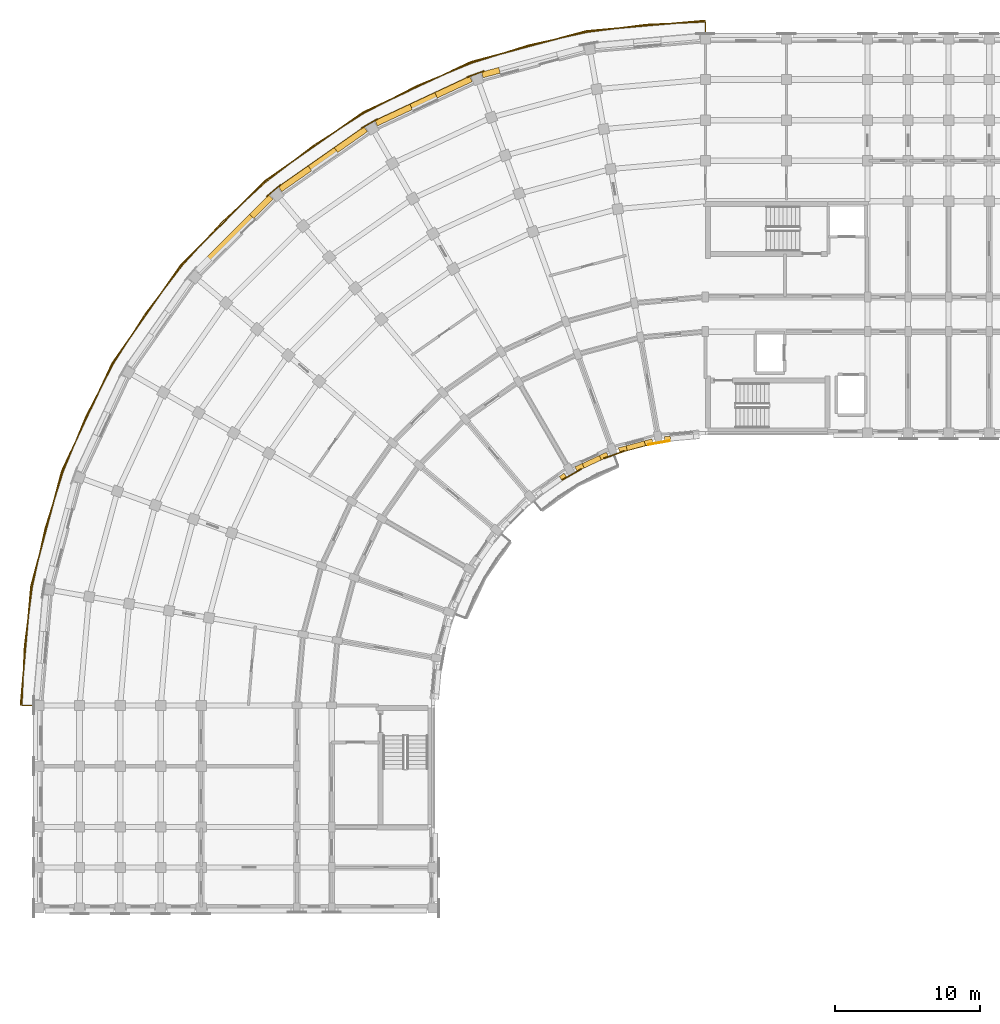
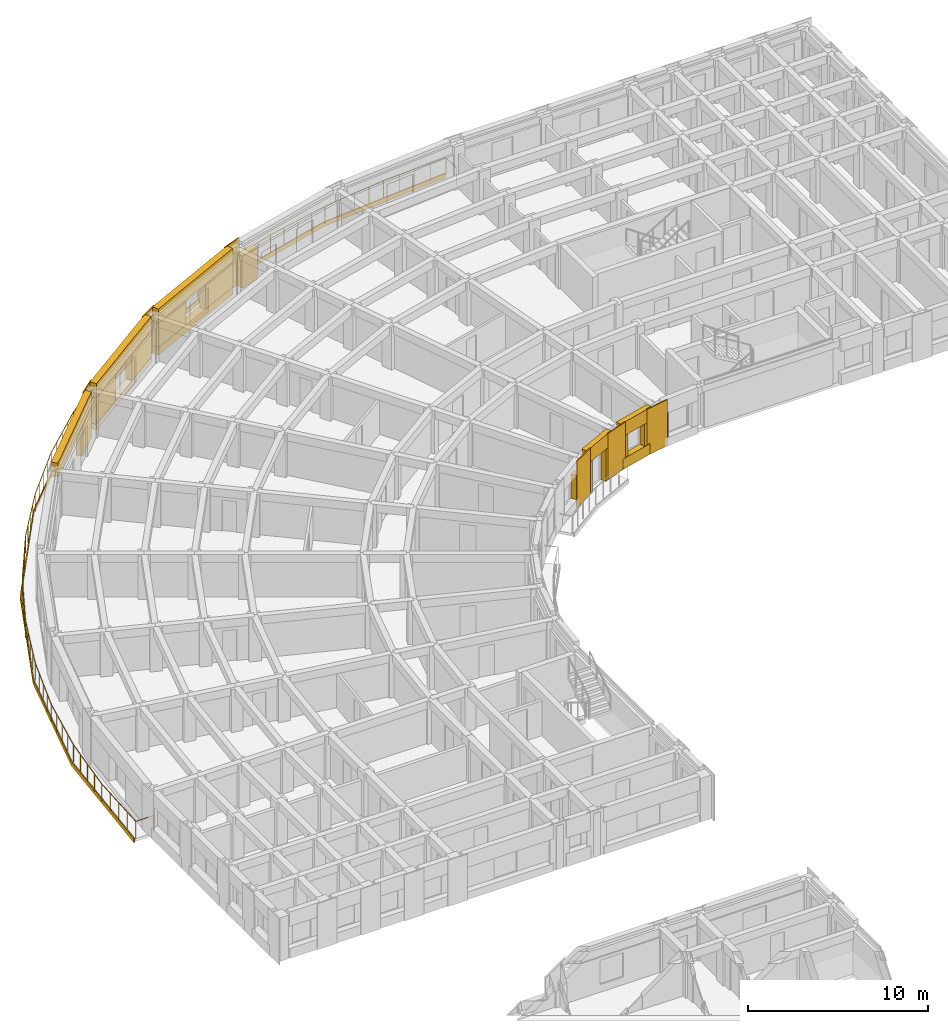
# One storey, part 48 of 57: 27 coverings, 1 railing.
"""IFC4 building model written with IfcOpenShell, lengths in metres."""

from ifc_helpers import new_model, si_unit, direction, frame, origin, origin_2d, place, context, subcontext, project, spatial, polyline, circle, outline, extrude, material, layer, layer_set, type_object, element, save


model = new_model("IFC4")

# Units and contexts
model_context = context("Model", 3, precision=1e-05, world=origin(), true_north=direction((0.0, 1.0)))
body_context = subcontext(model_context, "Body", "Model", "MODEL_VIEW")
ifc_project = project(units=[si_unit("LENGTHUNIT", "METRE"), si_unit("AREAUNIT", "SQUARE_METRE"), si_unit("VOLUMEUNIT", "CUBIC_METRE"), si_unit("PLANEANGLEUNIT", "RADIAN"), si_unit("MASSUNIT", "GRAM", prefix="KILO")], contexts=[model_context])

# Site, building, storey
site_placement = place(None, origin())
site = spatial("IfcSite", under=ifc_project, at=site_placement, CompositionType="ELEMENT")
building_placement = place(site_placement, origin())
building = spatial("IfcBuilding", under=site, at=building_placement, Name="Kiranvali Square Residences", CompositionType="ELEMENT")
storey_placement = place(building_placement, frame((0.0, 0.0, 24.449951171875)))
storey = spatial("IfcBuildingStorey", under=building, at=storey_placement, Name="L07", CompositionType="ELEMENT", Elevation=24.449951171875)

# Coverings
ifc_material_1 = material(Name="Carved Porbandar limestone classical entablature and cornice", Category="masonry")
ifc_layer_1 = layer(ifc_material_1, 0.072021484375)
ifc_layer_set_1 = layer_set([ifc_layer_1], Name="Carved Porbandar limestone classical entablature and cornice")
covering_type_1 = type_object("IfcCoveringType", Name="COV-CLAD-BAL", PredefinedType="CLADDING", material=ifc_layer_set_1)
covering_1_placement = place(storey_placement, frame((0.0, 0.0, -0.239990234375)))
element("IfcCovering", 1, at=covering_1_placement, inside=storey, type_object=covering_type_1, Name="Block A L07 continuous curved limestone balcony fascia", PredefinedType="CLADDING", context=body_context, shape_type="SweptSolid", body=[
    extrude(outline(polyline([(48.199951171875, 135.117919921875), (39.9833984375, 134.399169921875), (32.016357421875, 132.264404296875), (24.541015625, 128.778564453125), (17.78466796875, 124.047607421875), (11.952392578125, 118.21533203125), (7.221435546875, 111.458984375), (3.735595703125, 103.983642578125), (1.600830078125, 96.0166015625), (0.882080078125, 87.800048828125), (0.947998046875, 87.800048828125), (1.665771484375, 96.005126953125), (3.797607421875, 103.961181640625), (7.278564453125, 111.426025390625), (12.0029296875, 118.173095703125), (17.826904296875, 123.9970703125), (24.573974609375, 128.721435546875), (32.038818359375, 132.202392578125), (39.994873046875, 134.334228515625), (48.199951171875, 135.052001953125), (48.199951171875, 135.117919921875)])), origin(), (0.0, 0.0, 1.0), 0.300048828125),
])
ifc_material_2 = material(Name="Honed Porbandar limestone ashlar facade cladding", Category="masonry")
ifc_layer_2 = layer(ifc_material_2, 0.3798828125)
ifc_layer_set_2 = layer_set([ifc_layer_2], Name="Honed Porbandar limestone ashlar facade cladding")
covering_type_2 = type_object("IfcCoveringType", Name="COV-CLAD-JAMB", PredefinedType="CLADDING", material=ifc_layer_set_2)
covering_2_placement = place(storey_placement, origin())
element("IfcCovering", 2, at=covering_2_placement, inside=storey, type_object=covering_type_2, Name="L07 deep limestone window jamb reveal A-L07-CRV-01.R", PredefinedType="CLADDING", context=body_context, shape_type="SweptSolid", body=[
    extrude(outline(polyline([(33.932373046875, 131.843017578125), (32.747314453125, 131.525390625), (32.853271484375, 131.1298828125), (34.038330078125, 131.447265625), (33.932373046875, 131.843017578125)])), origin(), (0.0, 0.0, 1.0), 2.179931640625),
])
covering_3_placement = place(storey_placement, frame((0.0, 0.0, 0.52197265625)))
element("IfcCovering", 3, at=covering_3_placement, inside=storey, type_object=covering_type_2, Name="L07 deep limestone window jamb reveal A-L07-CRV-02.L", PredefinedType="CLADDING", context=body_context, shape_type="SweptSolid", body=[
    extrude(outline(polyline([(31.931396484375, 131.228515625), (29.521240234375, 130.1044921875), (29.6943359375, 129.7333984375), (32.104248046875, 130.857177734375), (31.931396484375, 131.228515625)])), origin(), (0.0, 0.0, 1.0), 1.650146484375),
])
covering_4_placement = place(storey_placement, frame((0.0, 0.0, 0.52197265625)))
element("IfcCovering", 4, at=covering_4_placement, inside=storey, type_object=covering_type_2, Name="L07 deep limestone window jamb reveal A-L07-CRV-02.R", PredefinedType="CLADDING", context=body_context, shape_type="SweptSolid", body=[
    extrude(outline(polyline([(27.79931640625, 129.301513671875), (25.38916015625, 128.177734375), (25.562255859375, 127.806640625), (27.972412109375, 128.930419921875), (27.79931640625, 129.301513671875)])), origin(), (0.0, 0.0, 1.0), 1.650146484375),
])
covering_5_placement = place(storey_placement, frame((0.0, 0.0, 0.3720703125)))
element("IfcCovering", 5, at=covering_5_placement, inside=storey, type_object=covering_type_2, Name="L07 deep limestone window jamb reveal A-L07-CRV-03.L", PredefinedType="CLADDING", context=body_context, shape_type="SweptSolid", body=[
    extrude(outline(polyline([(24.63720703125, 127.74365234375), (22.581787109375, 126.304443359375), (22.816650390625, 125.968994140625), (24.8720703125, 127.408203125), (24.63720703125, 127.74365234375)])), origin(), (0.0, 0.0, 1.0), 1.800048828125),
])
covering_6_placement = place(storey_placement, frame((0.0, 0.0, 0.3720703125)))
element("IfcCovering", 6, at=covering_6_placement, inside=storey, type_object=covering_type_2, Name="L07 deep limestone window jamb reveal A-L07-CRV-03.R", PredefinedType="CLADDING", context=body_context, shape_type="SweptSolid", body=[
    extrude(outline(polyline([(20.779541015625, 125.04248046875), (18.724365234375, 123.603271484375), (18.959228515625, 123.267822265625), (21.0146484375, 124.70703125), (20.779541015625, 125.04248046875)])), origin(), (0.0, 0.0, 1.0), 1.800048828125),
])
covering_7_placement = place(storey_placement, origin())
element("IfcCovering", 7, at=covering_7_placement, inside=storey, type_object=covering_type_2, Name="L07 deep limestone window jamb reveal A-L07-CRV-04.L", PredefinedType="CLADDING", context=body_context, shape_type="SweptSolid", body=[
    extrude(outline(polyline([(18.05908203125, 123.045166015625), (16.732177734375, 121.71826171875), (17.021728515625, 121.4287109375), (18.3486328125, 122.755615234375), (18.05908203125, 123.045166015625)])), origin(), (0.0, 0.0, 1.0), 2.179931640625),
])
covering_8_placement = place(storey_placement, frame((0.0, 0.0, 0.572021484375)))
element("IfcCovering", 8, at=covering_8_placement, inside=storey, type_object=covering_type_2, Name="L07 deep limestone window jamb reveal A-L07-GDN-00.R", PredefinedType="CLADDING", context=body_context, shape_type="SweptSolid", body=[
    extrude(outline(polyline([(45.770751953125, 106.386962890625), (45.373779296875, 106.352294921875), (45.4033203125, 106.013916015625), (45.80029296875, 106.048828125), (45.770751953125, 106.386962890625)])), origin(), (0.0, 0.0, 1.0), 1.650146484375),
])
covering_9_placement = place(storey_placement, frame((0.0, 0.0, 0.72216796875)))
element("IfcCovering", 9, at=covering_9_placement, inside=storey, type_object=covering_type_2, Name="L07 deep limestone window jamb reveal A-L07-GDN-01.L", PredefinedType="CLADDING", context=body_context, shape_type="SweptSolid", body=[
    extrude(outline(polyline([(44.510498046875, 106.199951171875), (43.980712890625, 106.05810546875), (44.068603515625, 105.730224609375), (44.598388671875, 105.8720703125), (44.510498046875, 106.199951171875)])), origin(), (0.0, 0.0, 1.0), 1.5),
])
covering_10_placement = place(storey_placement, frame((0.0, 0.0, 0.72216796875)))
element("IfcCovering", 10, at=covering_10_placement, inside=storey, type_object=covering_type_2, Name="L07 deep limestone window jamb reveal A-L07-GDN-01.R", PredefinedType="CLADDING", context=body_context, shape_type="SweptSolid", body=[
    extrude(outline(polyline([(42.72509765625, 105.7216796875), (42.195068359375, 105.57958984375), (42.282958984375, 105.251708984375), (42.812744140625, 105.3935546875), (42.72509765625, 105.7216796875)])), origin(), (0.0, 0.0, 1.0), 1.5),
])
covering_11_placement = place(storey_placement, origin())
element("IfcCovering", 11, at=covering_11_placement, inside=storey, type_object=covering_type_2, Name="L07 deep limestone window jamb reveal A-L07-GDN-02.L", PredefinedType="CLADDING", context=body_context, shape_type="SweptSolid", body=[
    extrude(outline(polyline([(41.37158203125, 105.27978515625), (40.874267578125, 105.048095703125), (41.017822265625, 104.740234375), (41.514892578125, 104.97216796875), (41.37158203125, 105.27978515625)])), origin(), (0.0, 0.0, 1.0), 2.179931640625),
])
covering_12_placement = place(storey_placement, origin())
element("IfcCovering", 12, at=covering_12_placement, inside=storey, type_object=covering_type_2, Name="L07 deep limestone window jamb reveal A-L07-GDN-02.R", PredefinedType="CLADDING", context=body_context, shape_type="SweptSolid", body=[
    extrude(outline(polyline([(39.696044921875, 104.49853515625), (39.198974609375, 104.266845703125), (39.342529296875, 103.958984375), (39.839599609375, 104.19091796875), (39.696044921875, 104.49853515625)])), origin(), (0.0, 0.0, 1.0), 2.179931640625),
])
covering_13_placement = place(storey_placement, frame((0.0, 0.0, 0.572021484375)))
element("IfcCovering", 13, at=covering_13_placement, inside=storey, type_object=covering_type_2, Name="L07 deep limestone window jamb reveal A-L07-GDN-03.L", PredefinedType="CLADDING", context=body_context, shape_type="SweptSolid", body=[
    extrude(outline(polyline([(38.43994140625, 103.828369140625), (38.11328125, 103.599853515625), (38.30810546875, 103.32177734375), (38.634521484375, 103.55029296875), (38.43994140625, 103.828369140625)])), origin(), (0.0, 0.0, 1.0), 1.650146484375),
])
ifc_layer_3 = layer(ifc_material_2, 0.06494140625)
ifc_layer_set_3 = layer_set([ifc_layer_3], Name="Honed Porbandar limestone ashlar facade cladding")
covering_type_3 = type_object("IfcCoveringType", Name="COV-CLAD-PIER", PredefinedType="CLADDING", material=ifc_layer_set_3)
covering_14_placement = place(storey_placement, frame((0.0, 0.0, 0.005126953125)))
element("IfcCovering", 14, at=covering_14_placement, inside=storey, type_object=covering_type_3, Name="L07 Classical limestone corner pilaster CLAD-PR-A-L07-A02", PredefinedType="CLADDING", context=body_context, shape_type="SweptSolid", body=[
    extrude(outline(polyline([(32.916015625, 131.634033203125), (31.732177734375, 131.203125), (31.755126953125, 131.1396484375), (32.939208984375, 131.57080078125), (32.916015625, 131.634033203125)])), origin(), (0.0, 0.0, 1.0), 3.139892578125),
])
covering_15_placement = place(storey_placement, frame((0.0, 0.0, 0.005126953125)))
element("IfcCovering", 15, at=covering_15_placement, inside=storey, type_object=covering_type_3, Name="L07 Classical limestone corner pilaster CLAD-PR-A-L07-A03", PredefinedType="CLADDING", context=body_context, shape_type="SweptSolid", body=[
    extrude(outline(polyline([(25.53662109375, 128.314208984375), (24.4453125, 127.68408203125), (24.479248046875, 127.625732421875), (25.5703125, 128.255615234375), (25.53662109375, 128.314208984375)])), origin(), (0.0, 0.0, 1.0), 3.139892578125),
])
covering_16_placement = place(storey_placement, frame((0.0, 0.0, 0.005126953125)))
element("IfcCovering", 16, at=covering_16_placement, inside=storey, type_object=covering_type_3, Name="L07 Classical limestone corner pilaster CLAD-PR-A-L07-A04", PredefinedType="CLADDING", context=body_context, shape_type="SweptSolid", body=[
    extrude(outline(polyline([(18.845703125, 123.76318359375), (17.88037109375, 122.953369140625), (17.923828125, 122.901611328125), (18.88916015625, 123.71142578125), (18.845703125, 123.76318359375)])), origin(), (0.0, 0.0, 1.0), 3.139892578125),
])
ifc_layer_4 = layer(ifc_material_2, 0.050048828125)
ifc_layer_set_4 = layer_set([ifc_layer_4], Name="Honed Porbandar limestone ashlar facade cladding")
covering_type_4 = type_object("IfcCoveringType", Name="COV-CLAD-PIER-IN", PredefinedType="CLADDING", material=ifc_layer_set_4)
covering_17_placement = place(storey_placement, frame((0.0, 0.0, 0.005126953125)))
element("IfcCovering", 17, at=covering_17_placement, inside=storey, type_object=covering_type_4, Name="L07 Classical garden courtyard pilaster CLAD-PRIN-A-L07-A01", PredefinedType="CLADDING", context=body_context, shape_type="SweptSolid", body=[
    extrude(outline(polyline([(44.269287109375, 105.7724609375), (45.74658203125, 106.032958984375), (45.73486328125, 106.099365234375), (44.257568359375, 105.8388671875), (44.269287109375, 105.7724609375)])), origin(), (0.0, 0.0, 1.0), 3.139892578125),
])
covering_18_placement = place(storey_placement, frame((0.0, 0.0, 0.005126953125)))
element("IfcCovering", 18, at=covering_18_placement, inside=storey, type_object=covering_type_4, Name="L07 Classical garden courtyard pilaster CLAD-PRIN-A-L07-A02", PredefinedType="CLADDING", context=body_context, shape_type="SweptSolid", body=[
    extrude(outline(polyline([(41.208251953125, 104.81689453125), (42.61767578125, 105.329833984375), (42.5947265625, 105.393310546875), (41.18505859375, 104.88037109375), (41.208251953125, 104.81689453125)])), origin(), (0.0, 0.0, 1.0), 3.139892578125),
])
covering_19_placement = place(storey_placement, frame((0.0, 0.0, 0.005126953125)))
element("IfcCovering", 19, at=covering_19_placement, inside=storey, type_object=covering_type_4, Name="L07 Classical garden courtyard pilaster CLAD-PRIN-A-L07-A03", PredefinedType="CLADDING", context=body_context, shape_type="SweptSolid", body=[
    extrude(outline(polyline([(38.359375, 103.34423828125), (39.658447265625, 104.09423828125), (39.624755859375, 104.15283203125), (38.32568359375, 103.40283203125), (38.359375, 103.34423828125)])), origin(), (0.0, 0.0, 1.0), 3.139892578125),
])
ifc_layer_5 = layer(ifc_material_2, 0.360107421875)
ifc_layer_set_5 = layer_set([ifc_layer_5], Name="Honed Porbandar limestone ashlar facade cladding")
covering_type_5 = type_object("IfcCoveringType", Name="COV-CLAD-WALL", PredefinedType="CLADDING", material=ifc_layer_set_5)
covering_20_placement = place(storey_placement, frame((0.0, 0.0, 2.172119140625)))
element("IfcCovering", 20, at=covering_20_placement, inside=storey, type_object=covering_type_5, Name="L07 light limestone spandrel lintel A-L07-CRV-02", PredefinedType="CLADDING", context=body_context, shape_type="SweptSolid", body=[
    extrude(outline(polyline([(31.931396484375, 131.228515625), (25.38916015625, 128.177734375), (25.562255859375, 127.806640625), (32.104248046875, 130.857177734375), (31.931396484375, 131.228515625)])), origin(), (0.0, 0.0, 1.0), 0.972900390625),
])
covering_21_placement = place(storey_placement, frame((0.0, 0.0, 0.005126953125)))
element("IfcCovering", 21, at=covering_21_placement, inside=storey, type_object=covering_type_5, Name="L07 limestone window sill apron A-L07-CRV-02", PredefinedType="CLADDING", context=body_context, shape_type="SweptSolid", body=[
    extrude(outline(polyline([(31.918701171875, 131.255615234375), (25.37646484375, 128.205078125), (25.562255859375, 127.806640625), (32.104248046875, 130.857177734375), (31.918701171875, 131.255615234375)])), origin(), (0.0, 0.0, 1.0), 0.516845703125),
])
covering_22_placement = place(storey_placement, frame((0.0, 0.0, 2.172119140625)))
element("IfcCovering", 22, at=covering_22_placement, inside=storey, type_object=covering_type_5, Name="L07 light limestone spandrel lintel A-L07-CRV-03", PredefinedType="CLADDING", context=body_context, shape_type="SweptSolid", body=[
    extrude(outline(polyline([(24.63720703125, 127.74365234375), (18.724365234375, 123.603271484375), (18.959228515625, 123.267822265625), (24.8720703125, 127.408203125), (24.63720703125, 127.74365234375)])), origin(), (0.0, 0.0, 1.0), 0.972900390625),
])
covering_23_placement = place(storey_placement, frame((0.0, 0.0, 0.005126953125)))
element("IfcCovering", 23, at=covering_23_placement, inside=storey, type_object=covering_type_5, Name="L07 limestone window sill apron A-L07-CRV-03", PredefinedType="CLADDING", context=body_context, shape_type="SweptSolid", body=[
    extrude(outline(polyline([(24.619873046875, 127.76806640625), (18.70703125, 123.6279296875), (18.959228515625, 123.267822265625), (24.8720703125, 127.408203125), (24.619873046875, 127.76806640625)])), origin(), (0.0, 0.0, 1.0), 0.366943359375),
])
covering_24_placement = place(storey_placement, frame((0.0, 0.0, 2.179931640625)))
element("IfcCovering", 24, at=covering_24_placement, inside=storey, type_object=covering_type_5, Name="L07 light limestone spandrel lintel A-L07-CRV-04", PredefinedType="CLADDING", context=body_context, shape_type="SweptSolid", body=[
    extrude(outline(polyline([(18.05908203125, 123.045166015625), (12.954833984375, 117.94091796875), (13.244384765625, 117.6513671875), (18.3486328125, 122.755615234375), (18.05908203125, 123.045166015625)])), origin(), (0.0, 0.0, 1.0), 0.965087890625),
])
covering_25_placement = place(storey_placement, frame((0.0, 0.0, 2.22216796875)))
element("IfcCovering", 25, at=covering_25_placement, inside=storey, type_object=covering_type_5, Name="L07 light limestone spandrel lintel A-L07-GDN-01", PredefinedType="CLADDING", context=body_context, shape_type="SweptSolid", body=[
    extrude(outline(polyline([(44.510498046875, 106.199951171875), (42.195068359375, 105.57958984375), (42.282958984375, 105.251708984375), (44.598388671875, 105.8720703125), (44.510498046875, 106.199951171875)])), origin(), (0.0, 0.0, 1.0), 0.9228515625),
])
covering_26_placement = place(storey_placement, frame((0.0, 0.0, 2.179931640625)))
element("IfcCovering", 26, at=covering_26_placement, inside=storey, type_object=covering_type_5, Name="L07 light limestone spandrel lintel A-L07-GDN-02", PredefinedType="CLADDING", context=body_context, shape_type="SweptSolid", body=[
    extrude(outline(polyline([(41.37158203125, 105.27978515625), (39.198974609375, 104.266845703125), (39.342529296875, 103.958984375), (41.514892578125, 104.97216796875), (41.37158203125, 105.27978515625)])), origin(), (0.0, 0.0, 1.0), 0.965087890625),
])
ifc_layer_6 = layer(ifc_material_2, 0.2900390625)
ifc_layer_set_6 = layer_set([ifc_layer_6], Name="Honed Porbandar limestone ashlar facade cladding")
covering_type_6 = type_object("IfcCoveringType", Name="COV-CLAD-WALL-IN", PredefinedType="CLADDING", material=ifc_layer_set_6)
covering_27_placement = place(storey_placement, frame((0.0, 0.0, 0.005126953125)))
element("IfcCovering", 27, at=covering_27_placement, inside=storey, type_object=covering_type_6, Name="L07 limestone window sill apron A-L07-GDN-01", PredefinedType="CLADDING", context=body_context, shape_type="SweptSolid", body=[
    extrude(outline(polyline([(44.510498046875, 106.199951171875), (42.195068359375, 105.57958984375), (42.290771484375, 105.22265625), (44.606201171875, 105.843017578125), (44.510498046875, 106.199951171875)])), origin(), (0.0, 0.0, 1.0), 0.717041015625),
])

# Railing
ifc_material_3 = material(Name="Powder-coated architectural bronze balustrade", Category="steel")
railing_type = type_object("IfcRailingType", Name="RL-BAL-GOLD-1200", PredefinedType="BALUSTRADE", material=ifc_material_3)
railing_placement = place(storey_placement, frame((48.199951171875, 133.840087890625, 0.0)))
element("IfcRailing", 28, at=railing_placement, inside=storey, type_object=railing_type, Name="Block A L07 continuous curved corner gold balustrade", PredefinedType="BALUSTRADE", context=body_context, shape_type="SweptSolid", body=[
    extrude(circle(Radius=0.02392578125, at=origin_2d()), frame((0.0, 0.0, 1.17578125), z_axis=(0.0, 1.0, 0.0), x_axis=(-1.0, 0.0, 0.0)), (0.0, 0.0, 1.0), 1.14990234375),
    extrude(circle(Radius=0.02392578125, at=origin_2d()), frame((0.0, 1.14990234375, 1.17578125), z_axis=(-0.999049544955, -0.043589066576, 0.0), x_axis=(0.043589066576, -0.999049544955, 0.0)), (0.0, 0.0, 1.0), 4.11669921875),
    extrude(circle(Radius=0.02392578125, at=origin_2d()), frame((-4.11279296875, 0.970458984375, 1.17578125), z_axis=(-0.991444603928, -0.1305281477, 0.0), x_axis=(0.1305281477, -0.991444603928, 0.0)), (0.0, 0.0, 1.0), 4.11669921875),
    extrude(circle(Radius=0.02392578125, at=origin_2d()), frame((-8.1943359375, 0.43310546875, 1.17578125), z_axis=(-0.976292989924, -0.216453223181, 0.0), x_axis=(0.216453223181, -0.976292989924, 0.0)), (0.0, 0.0, 1.0), 4.116943359375),
    extrude(circle(Radius=0.02392578125, at=origin_2d()), frame((-12.213623046875, -0.4580078125, 1.17578125), z_axis=(-0.953710744932, -0.300725481131, 0.0), x_axis=(0.300725481131, -0.953710744932, 0.0)), (0.0, 0.0, 1.0), 4.116943359375),
    extrude(circle(Radius=0.02392578125, at=origin_2d()), frame((-16.139892578125, -1.696044921875, 1.17578125), z_axis=(-0.923880226262, -0.382681757498, 0.0), x_axis=(0.382681757498, -0.923880226262, 0.0)), (0.0, 0.0, 1.0), 4.116943359375),
    extrude(circle(Radius=0.02392578125, at=origin_2d()), frame((-19.943359375, -3.271484375, 1.17578125), z_axis=(-0.887013781313, -0.461742949877, 0.0), x_axis=(0.461742949877, -0.887013781313, 0.0)), (0.0, 0.0, 1.0), 4.11669921875),
    extrude(circle(Radius=0.02392578125, at=origin_2d()), frame((-23.594970703125, -5.17236328125, 1.17578125), z_axis=(-0.843402550976, -0.537282176335, 0.0), x_axis=(0.537282176335, -0.843402550976, 0.0)), (0.0, 0.0, 1.0), 4.116943359375),
    extrude(circle(Radius=0.02392578125, at=origin_2d()), frame((-27.067138671875, -7.38427734375, 1.17578125), z_axis=(-0.793339967331, -0.608778856594, 0.0), x_axis=(0.608778856594, -0.793339967331, 0.0)), (0.0, 0.0, 1.0), 4.11669921875),
    extrude(circle(Radius=0.02392578125, at=origin_2d()), frame((-30.3330078125, -9.890380859375, 1.17578125), z_axis=(-0.737299356654, -0.675566176386, 0.0), x_axis=(0.675566176386, -0.737299356654, 0.0)), (0.0, 0.0, 1.0), 4.116943359375),
    extrude(circle(Radius=0.02392578125, at=origin_2d()), frame((-33.368408203125, -12.671630859375, 1.17578125), z_axis=(-0.675566176386, -0.737299356654, 0.0), x_axis=(0.737299356654, -0.675566176386, 0.0)), (0.0, 0.0, 1.0), 4.116943359375),
    extrude(circle(Radius=0.02392578125, at=origin_2d()), frame((-36.149658203125, -15.70703125, 1.17578125), z_axis=(-0.608778856594, -0.793339967331, 0.0), x_axis=(0.793339967331, -0.608778856594, 0.0)), (0.0, 0.0, 1.0), 4.11669921875),
    extrude(circle(Radius=0.02392578125, at=origin_2d()), frame((-38.65576171875, -18.972900390625, 1.17578125), z_axis=(-0.537282176335, -0.843402550976, 0.0), x_axis=(0.843402550976, -0.537282176335, 0.0)), (0.0, 0.0, 1.0), 4.116943359375),
    extrude(circle(Radius=0.02392578125, at=origin_2d()), frame((-40.86767578125, -22.445068359375, 1.17578125), z_axis=(-0.461742949877, -0.887013781313, 0.0), x_axis=(0.887013781313, -0.461742949877, 0.0)), (0.0, 0.0, 1.0), 4.11669921875),
    extrude(circle(Radius=0.02392578125, at=origin_2d()), frame((-42.7685546875, -26.0966796875, 1.17578125), z_axis=(-0.382681757498, -0.923880226262, 0.0), x_axis=(0.923880226262, -0.382681757498, 0.0)), (0.0, 0.0, 1.0), 4.116943359375),
    extrude(circle(Radius=0.02392578125, at=origin_2d()), frame((-44.343994140625, -29.900146484375, 1.17578125), z_axis=(-0.300725481131, -0.953710744932, 0.0), x_axis=(0.953710744932, -0.300725481131, 0.0)), (0.0, 0.0, 1.0), 4.116943359375),
    extrude(circle(Radius=0.02392578125, at=origin_2d()), frame((-45.58203125, -33.826416015625, 1.17578125), z_axis=(-0.216453223181, -0.976292989924, 0.0), x_axis=(0.976292989924, -0.216453223181, 0.0)), (0.0, 0.0, 1.0), 4.116943359375),
    extrude(circle(Radius=0.02392578125, at=origin_2d()), frame((-46.47314453125, -37.845703125, 1.17578125), z_axis=(-0.1305281477, -0.991444603928, 0.0), x_axis=(0.991444603928, -0.1305281477, 0.0)), (0.0, 0.0, 1.0), 4.11669921875),
    extrude(circle(Radius=0.02392578125, at=origin_2d()), frame((-47.010498046875, -41.92724609375, 1.17578125), z_axis=(-0.043589066576, -0.999049544955, 0.0), x_axis=(0.999049544955, -0.043589066576, 0.0)), (0.0, 0.0, 1.0), 4.11669921875),
    extrude(circle(Radius=0.02392578125, at=origin_2d()), frame((-47.18994140625, -46.0400390625, 1.17578125), z_axis=(1.0, 0.0, 0.0), x_axis=(0.0, 1.0, 0.0)), (0.0, 0.0, 1.0), 1.14990234375),
    extrude(circle(Radius=0.02099609375, at=origin_2d()), origin(), (0.0, 0.0, 1.0), 1.15185546875),
    extrude(circle(Radius=0.02099609375, at=origin_2d()), frame((0.0, 1.14990234375, 0.0)), (0.0, 0.0, 1.0), 1.15185546875),
    extrude(circle(Radius=0.02099609375, at=origin_2d()), frame((-1.0283203125, 1.10498046875, 0.0)), (0.0, 0.0, 1.0), 1.15185546875),
    extrude(circle(Radius=0.02099609375, at=origin_2d()), frame((-2.056396484375, 1.06005859375, 0.0)), (0.0, 0.0, 1.0), 1.15185546875),
    extrude(circle(Radius=0.02099609375, at=origin_2d()), frame((-3.08447265625, 1.015380859375, 0.0)), (0.0, 0.0, 1.0), 1.15185546875),
    extrude(circle(Radius=0.02099609375, at=origin_2d()), frame((-4.11279296875, 0.970458984375, 0.0)), (0.0, 0.0, 1.0), 1.15185546875),
    extrude(circle(Radius=0.02099609375, at=origin_2d()), frame((-5.13330078125, 0.836181640625, 0.0)), (0.0, 0.0, 1.0), 1.15185546875),
    extrude(circle(Radius=0.02099609375, at=origin_2d()), frame((-6.153564453125, 0.70166015625, 0.0)), (0.0, 0.0, 1.0), 1.15185546875),
    extrude(circle(Radius=0.02099609375, at=origin_2d()), frame((-7.173828125, 0.5673828125, 0.0)), (0.0, 0.0, 1.0), 1.15185546875),
    extrude(circle(Radius=0.02099609375, at=origin_2d()), frame((-8.1943359375, 0.43310546875, 0.0)), (0.0, 0.0, 1.0), 1.15185546875),
    extrude(circle(Radius=0.02099609375, at=origin_2d()), frame((-9.19921875, 0.21044921875, 0.0)), (0.0, 0.0, 1.0), 1.15185546875),
    extrude(circle(Radius=0.02099609375, at=origin_2d()), frame((-10.2041015625, -0.012451171875, 0.0)), (0.0, 0.0, 1.0), 1.15185546875),
    extrude(circle(Radius=0.02099609375, at=origin_2d()), frame((-11.208740234375, -0.2353515625, 0.0)), (0.0, 0.0, 1.0), 1.15185546875),
    extrude(circle(Radius=0.02099609375, at=origin_2d()), frame((-12.213623046875, -0.4580078125, 0.0)), (0.0, 0.0, 1.0), 1.15185546875),
    extrude(circle(Radius=0.02099609375, at=origin_2d()), frame((-13.1953125, -0.767578125, 0.0)), (0.0, 0.0, 1.0), 1.15185546875),
    extrude(circle(Radius=0.02099609375, at=origin_2d()), frame((-14.1767578125, -1.0771484375, 0.0)), (0.0, 0.0, 1.0), 1.15185546875),
    extrude(circle(Radius=0.02099609375, at=origin_2d()), frame((-15.158203125, -1.386474609375, 0.0)), (0.0, 0.0, 1.0), 1.15185546875),
    extrude(circle(Radius=0.02099609375, at=origin_2d()), frame((-16.139892578125, -1.696044921875, 0.0)), (0.0, 0.0, 1.0), 1.15185546875),
    extrude(circle(Radius=0.02099609375, at=origin_2d()), frame((-17.0908203125, -2.08984375, 0.0)), (0.0, 0.0, 1.0), 1.15185546875),
    extrude(circle(Radius=0.02099609375, at=origin_2d()), frame((-18.04150390625, -2.48388671875, 0.0)), (0.0, 0.0, 1.0), 1.15185546875),
    extrude(circle(Radius=0.02099609375, at=origin_2d()), frame((-18.992431640625, -2.877685546875, 0.0)), (0.0, 0.0, 1.0), 1.15185546875),
    extrude(circle(Radius=0.02099609375, at=origin_2d()), frame((-19.943359375, -3.271484375, 0.0)), (0.0, 0.0, 1.0), 1.15185546875),
    extrude(circle(Radius=0.02099609375, at=origin_2d()), frame((-20.856201171875, -3.74658203125, 0.0)), (0.0, 0.0, 1.0), 1.15185546875),
    extrude(circle(Radius=0.02099609375, at=origin_2d()), frame((-21.76904296875, -4.221923828125, 0.0)), (0.0, 0.0, 1.0), 1.15185546875),
    extrude(circle(Radius=0.02099609375, at=origin_2d()), frame((-22.68212890625, -4.697265625, 0.0)), (0.0, 0.0, 1.0), 1.15185546875),
    extrude(circle(Radius=0.02099609375, at=origin_2d()), frame((-23.594970703125, -5.17236328125, 0.0)), (0.0, 0.0, 1.0), 1.15185546875),
    extrude(circle(Radius=0.02099609375, at=origin_2d()), frame((-24.462890625, -5.725341796875, 0.0)), (0.0, 0.0, 1.0), 1.15185546875),
    extrude(circle(Radius=0.02099609375, at=origin_2d()), frame((-25.3310546875, -6.2783203125, 0.0)), (0.0, 0.0, 1.0), 1.15185546875),
    extrude(circle(Radius=0.02099609375, at=origin_2d()), frame((-26.19921875, -6.831298828125, 0.0)), (0.0, 0.0, 1.0), 1.15185546875),
    extrude(circle(Radius=0.02099609375, at=origin_2d()), frame((-27.067138671875, -7.38427734375, 0.0)), (0.0, 0.0, 1.0), 1.15185546875),
    extrude(circle(Radius=0.02099609375, at=origin_2d()), frame((-27.883544921875, -8.0107421875, 0.0)), (0.0, 0.0, 1.0), 1.15185546875),
    extrude(circle(Radius=0.02099609375, at=origin_2d()), frame((-28.7001953125, -8.63720703125, 0.0)), (0.0, 0.0, 1.0), 1.15185546875),
    extrude(circle(Radius=0.02099609375, at=origin_2d()), frame((-29.5166015625, -9.263916015625, 0.0)), (0.0, 0.0, 1.0), 1.15185546875),
    extrude(circle(Radius=0.02099609375, at=origin_2d()), frame((-30.3330078125, -9.890380859375, 0.0)), (0.0, 0.0, 1.0), 1.15185546875),
    extrude(circle(Radius=0.02099609375, at=origin_2d()), frame((-31.091796875, -10.585693359375, 0.0)), (0.0, 0.0, 1.0), 1.15185546875),
    extrude(circle(Radius=0.02099609375, at=origin_2d()), frame((-31.8505859375, -11.281005859375, 0.0)), (0.0, 0.0, 1.0), 1.15185546875),
    extrude(circle(Radius=0.02099609375, at=origin_2d()), frame((-32.609619140625, -11.976318359375, 0.0)), (0.0, 0.0, 1.0), 1.15185546875),
    extrude(circle(Radius=0.02099609375, at=origin_2d()), frame((-33.368408203125, -12.671630859375, 0.0)), (0.0, 0.0, 1.0), 1.15185546875),
    extrude(circle(Radius=0.02099609375, at=origin_2d()), frame((-34.063720703125, -13.430419921875, 0.0)), (0.0, 0.0, 1.0), 1.15185546875),
    extrude(circle(Radius=0.02099609375, at=origin_2d()), frame((-34.759033203125, -14.189453125, 0.0)), (0.0, 0.0, 1.0), 1.15185546875),
    extrude(circle(Radius=0.02099609375, at=origin_2d()), frame((-35.454345703125, -14.9482421875, 0.0)), (0.0, 0.0, 1.0), 1.15185546875),
    extrude(circle(Radius=0.02099609375, at=origin_2d()), frame((-36.149658203125, -15.70703125, 0.0)), (0.0, 0.0, 1.0), 1.15185546875),
    extrude(circle(Radius=0.02099609375, at=origin_2d()), frame((-36.776123046875, -16.5234375, 0.0)), (0.0, 0.0, 1.0), 1.15185546875),
    extrude(circle(Radius=0.02099609375, at=origin_2d()), frame((-37.40283203125, -17.33984375, 0.0)), (0.0, 0.0, 1.0), 1.15185546875),
    extrude(circle(Radius=0.02099609375, at=origin_2d()), frame((-38.029296875, -18.156494140625, 0.0)), (0.0, 0.0, 1.0), 1.15185546875),
    extrude(circle(Radius=0.02099609375, at=origin_2d()), frame((-38.65576171875, -18.972900390625, 0.0)), (0.0, 0.0, 1.0), 1.15185546875),
    extrude(circle(Radius=0.02099609375, at=origin_2d()), frame((-39.208740234375, -19.8408203125, 0.0)), (0.0, 0.0, 1.0), 1.15185546875),
    extrude(circle(Radius=0.02099609375, at=origin_2d()), frame((-39.76171875, -20.708984375, 0.0)), (0.0, 0.0, 1.0), 1.15185546875),
    extrude(circle(Radius=0.02099609375, at=origin_2d()), frame((-40.314697265625, -21.5771484375, 0.0)), (0.0, 0.0, 1.0), 1.15185546875),
    extrude(circle(Radius=0.02099609375, at=origin_2d()), frame((-40.86767578125, -22.445068359375, 0.0)), (0.0, 0.0, 1.0), 1.15185546875),
    extrude(circle(Radius=0.02099609375, at=origin_2d()), frame((-41.3427734375, -23.35791015625, 0.0)), (0.0, 0.0, 1.0), 1.15185546875),
    extrude(circle(Radius=0.02099609375, at=origin_2d()), frame((-41.818115234375, -24.27099609375, 0.0)), (0.0, 0.0, 1.0), 1.15185546875),
    extrude(circle(Radius=0.02099609375, at=origin_2d()), frame((-42.29345703125, -25.183837890625, 0.0)), (0.0, 0.0, 1.0), 1.15185546875),
    extrude(circle(Radius=0.02099609375, at=origin_2d()), frame((-42.7685546875, -26.0966796875, 0.0)), (0.0, 0.0, 1.0), 1.15185546875),
    extrude(circle(Radius=0.02099609375, at=origin_2d()), frame((-43.162353515625, -27.047607421875, 0.0)), (0.0, 0.0, 1.0), 1.15185546875),
    extrude(circle(Radius=0.02099609375, at=origin_2d()), frame((-43.55615234375, -27.99853515625, 0.0)), (0.0, 0.0, 1.0), 1.15185546875),
    extrude(circle(Radius=0.02099609375, at=origin_2d()), frame((-43.9501953125, -28.94921875, 0.0)), (0.0, 0.0, 1.0), 1.15185546875),
    extrude(circle(Radius=0.02099609375, at=origin_2d()), frame((-44.343994140625, -29.900146484375, 0.0)), (0.0, 0.0, 1.0), 1.15185546875),
    extrude(circle(Radius=0.02099609375, at=origin_2d()), frame((-44.653564453125, -30.8818359375, 0.0)), (0.0, 0.0, 1.0), 1.15185546875),
    extrude(circle(Radius=0.02099609375, at=origin_2d()), frame((-44.962890625, -31.86328125, 0.0)), (0.0, 0.0, 1.0), 1.15185546875),
    extrude(circle(Radius=0.02099609375, at=origin_2d()), frame((-45.2724609375, -32.8447265625, 0.0)), (0.0, 0.0, 1.0), 1.15185546875),
    extrude(circle(Radius=0.02099609375, at=origin_2d()), frame((-45.58203125, -33.826416015625, 0.0)), (0.0, 0.0, 1.0), 1.15185546875),
    extrude(circle(Radius=0.02099609375, at=origin_2d()), frame((-45.8046875, -34.831298828125, 0.0)), (0.0, 0.0, 1.0), 1.15185546875),
    extrude(circle(Radius=0.02099609375, at=origin_2d()), frame((-46.027587890625, -35.8359375, 0.0)), (0.0, 0.0, 1.0), 1.15185546875),
    extrude(circle(Radius=0.02099609375, at=origin_2d()), frame((-46.25048828125, -36.8408203125, 0.0)), (0.0, 0.0, 1.0), 1.15185546875),
    extrude(circle(Radius=0.02099609375, at=origin_2d()), frame((-46.47314453125, -37.845703125, 0.0)), (0.0, 0.0, 1.0), 1.15185546875),
    extrude(circle(Radius=0.02099609375, at=origin_2d()), frame((-46.607421875, -38.8662109375, 0.0)), (0.0, 0.0, 1.0), 1.15185546875),
    extrude(circle(Radius=0.02099609375, at=origin_2d()), frame((-46.74169921875, -39.886474609375, 0.0)), (0.0, 0.0, 1.0), 1.15185546875),
    extrude(circle(Radius=0.02099609375, at=origin_2d()), frame((-46.876220703125, -40.90673828125, 0.0)), (0.0, 0.0, 1.0), 1.15185546875),
    extrude(circle(Radius=0.02099609375, at=origin_2d()), frame((-47.010498046875, -41.92724609375, 0.0)), (0.0, 0.0, 1.0), 1.15185546875),
    extrude(circle(Radius=0.02099609375, at=origin_2d()), frame((-47.055419921875, -42.95556640625, 0.0)), (0.0, 0.0, 1.0), 1.15185546875),
    extrude(circle(Radius=0.02099609375, at=origin_2d()), frame((-47.10009765625, -43.983642578125, 0.0)), (0.0, 0.0, 1.0), 1.15185546875),
    extrude(circle(Radius=0.02099609375, at=origin_2d()), frame((-47.14501953125, -45.01171875, 0.0)), (0.0, 0.0, 1.0), 1.15185546875),
    extrude(circle(Radius=0.02099609375, at=origin_2d()), frame((-47.18994140625, -46.0400390625, 0.0)), (0.0, 0.0, 1.0), 1.15185546875),
    extrude(circle(Radius=0.02099609375, at=origin_2d()), frame((-46.0400390625, -46.0400390625, 0.0)), (0.0, 0.0, 1.0), 1.15185546875),
])

save(model, "model.ifc")
